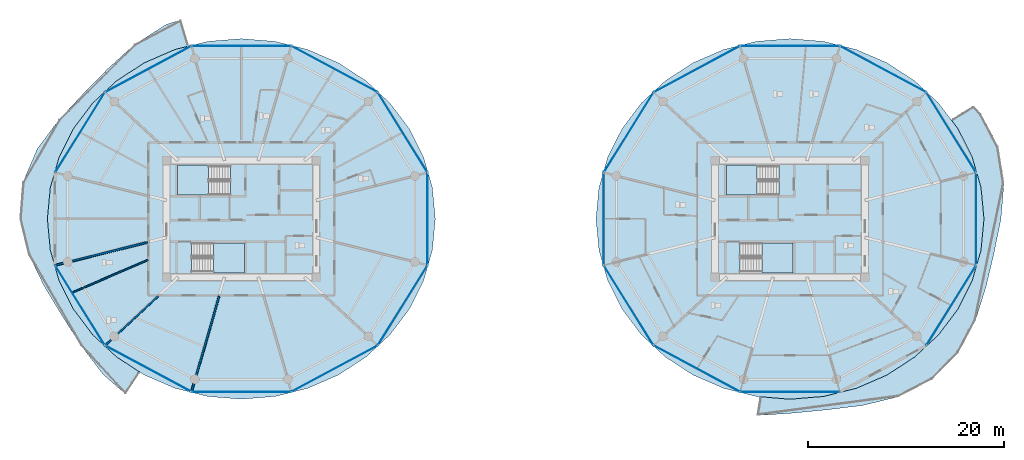
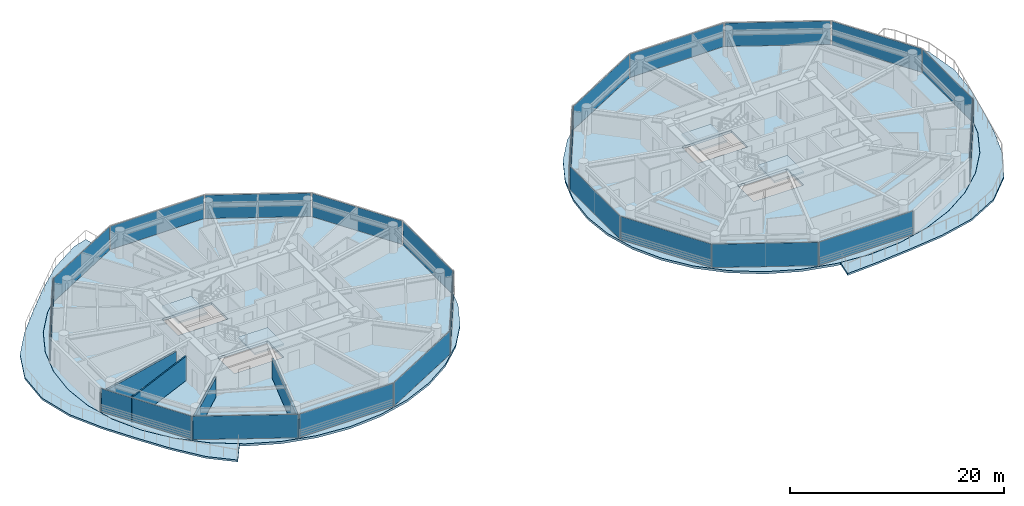
# One storey, part 14 of 27: 22 plates, 8 slabs, 4 walls, 26 elements without a shape of their own.
"""IFC4 building model written with IfcOpenShell, lengths in metres."""

from ifc_helpers import new_model, si_unit, direction, frame, frame_2d, origin, origin_2d, place, context, subcontext, project, spatial, polyline, rectangle, outline, extrude, source, transform, mapped, material, layer, layer_set, type_object, type_shapes, element, aggregate, save


model = new_model("IFC4")

# Units and contexts
model_context = context("Model", 3, precision=1e-05, world=origin(), true_north=direction((0.0, 1.0)))
body_context = subcontext(model_context, "Body", "Model", "MODEL_VIEW")
ifc_project = project(units=[si_unit("LENGTHUNIT", "METRE"), si_unit("AREAUNIT", "SQUARE_METRE"), si_unit("VOLUMEUNIT", "CUBIC_METRE"), si_unit("PLANEANGLEUNIT", "RADIAN"), si_unit("MASSUNIT", "GRAM", prefix="KILO")], contexts=[model_context])

# Site, building, storey
site_placement = place(None, origin())
site = spatial("IfcSite", under=ifc_project, at=site_placement, CompositionType="ELEMENT")
building_placement = place(site_placement, origin())
building = spatial("IfcBuilding", under=site, at=building_placement, Name="Norrkilde Senior Care Towers", CompositionType="ELEMENT")
storey_placement = place(building_placement, frame((0.0, 0.0, 36.85009765625)))
storey = spatial("IfcBuildingStorey", under=building, at=storey_placement, Name="L10", CompositionType="ELEMENT", Elevation=36.85009765625)

# Slabs
ifc_material_1 = material(Name="Concrete C50/60", Category="concrete")
ifc_layer_1 = layer(ifc_material_1, 0.215087890625)
ifc_layer_set_1 = layer_set([ifc_layer_1], Name="Concrete C50/60")
slab_type_1 = type_object("IfcSlabType", Name="Sinusoidal Balcony Ribbon Slab 215", PredefinedType="FLOOR", material=ifc_layer_set_1)
slab_1_placement = place(storey_placement, frame((0.0, 0.0, -0.215087890625)))
element("IfcSlab", 1, at=slab_1_placement, inside=storey, type_object=slab_type_1, Name="L10 Drum W Swirling Senior Balcony 1", PredefinedType="FLOOR", context=body_context, shape_type="SweptSolid", body=[
    extrude(outline(polyline([(-44.375244140625, -12.91748046875), (-46.2939453125, -9.912353515625), (-48.12060546875, -6.886474609375), (-49.71923828125, -3.616455078125), (-50.59619140625, 0.0), (-50.302490234375, 3.72705078125), (-48.831298828125, 7.164794921875), (-46.623046875, 10.116943359375), (-44.178466796875, 12.739990234375), (-41.6689453125, 15.302734375), (-38.904541015625, 17.807373046875), (-35.64306640625, 19.86572265625), (-34.156494140625, 20.30517578125), (-33.351318359375, 17.649169921875), (-34.773681640625, 17.294921875), (-37.902587890625, 15.939208984375), (-40.73046875, 14.09912109375), (-43.171630859375, 11.83056640625), (-45.151611328125, 9.202392578125), (-46.610595703125, 6.294921875), (-47.504150390625, 3.196044921875), (-47.804931640625, 0.0), (-47.504150390625, -3.196044921875), (-46.610595703125, -6.294921875), (-45.151611328125, -9.202392578125), (-43.171630859375, -11.83056640625), (-40.73046875, -14.09912109375), (-38.34228515625, -15.653076171875), (-39.815185546875, -17.882080078125), (-42.11669921875, -15.877197265625), (-44.375244140625, -12.91748046875)])), origin(), (0.0, 0.0, 1.0), 0.215087890625),
])
slab_2_placement = place(storey_placement, frame((0.0, 0.0, -0.215087890625)))
element("IfcSlab", 2, at=slab_2_placement, inside=storey, type_object=slab_type_1, Name="L10 Drum E Swirling Senior Balcony 1", PredefinedType="FLOOR", context=body_context, shape_type="SweptSolid", body=[
    extrude(outline(polyline([(46.952392578125, -10.321533203125), (45.185546875, -13.649169921875), (42.503173828125, -16.372802734375), (39.087890625, -18.14892578125), (35.367919921875, -19.05224609375), (31.6640625, -19.498779296875), (28.0, -19.853759765625), (24.640380859375, -20.06005859375), (24.958984375, -18.15771484375), (28.0, -18.405029296875), (31.439208984375, -18.12548828125), (34.773681640625, -17.294921875), (37.902587890625, -15.939208984375), (40.73046875, -14.09912109375), (43.171630859375, -11.83056640625), (45.151611328125, -9.202392578125), (46.610595703125, -6.294921875), (47.504150390625, -3.196044921875), (47.804931640625, 0.0), (47.504150390625, 3.196044921875), (46.610595703125, 6.294921875), (45.151611328125, 9.202392578125), (44.4658203125, 10.11279296875), (46.705810546875, 11.488525390625), (47.5224609375, 10.675537109375), (49.2626953125, 7.333740234375), (49.847412109375, 3.640625), (49.53759765625, 0.0), (48.837158203125, -3.448974609375), (48.03173828125, -6.8515625), (46.952392578125, -10.321533203125)])), origin(), (0.0, 0.0, 1.0), 0.215087890625),
])

# Stair, slab
ifc_material_2 = material(Name="Concrete C45/55", Category="concrete")
stair_type = type_object("IfcStairType", Name="Core Protected Dogleg Stair Typical 3050", PredefinedType="HALF_TURN_STAIR", material=ifc_material_2)
stair_1_placement = place(storey_placement, origin())
stair_1 = element("IfcStair", 3, at=stair_1_placement, inside=storey, type_object=stair_type, Name="L10 Protected Core Stair W1", PredefinedType="HALF_TURN_STAIR")
ifc_layer_2 = layer(ifc_material_2, 0.199951171875)
ifc_layer_set_2 = layer_set([ifc_layer_2], Name="Concrete C45/55")
slab_type_2 = type_object("IfcSlabType", Name="Stair Landing Slab 200", PredefinedType="LANDING", material=ifc_layer_set_2)
slab_3_placement = place(storey_placement, frame((0.0, 0.0, 1.324951171875)))
slab_3 = element("IfcSlab", 4, at=slab_3_placement, type_object=slab_type_2, Name="ST-W1 landing 1", PredefinedType="LANDING", context=body_context, shape_type="SweptSolid", body=[
    extrude(outline(polyline([(-31.340087890625, 5.52490234375), (-34.5, 5.52490234375), (-34.5, 2.449951171875), (-31.340087890625, 2.449951171875), (-31.340087890625, 5.52490234375)])), origin(), (0.0, 0.0, 1.0), 0.199951171875),
])
aggregate(stair_1, [slab_3])

stair_2_placement = place(storey_placement, origin())
stair_2 = element("IfcStair", 5, at=stair_2_placement, inside=storey, type_object=stair_type, Name="L10 Protected Core Stair W2", PredefinedType="HALF_TURN_STAIR")
slab_4_placement = place(storey_placement, frame((0.0, 0.0, 1.324951171875)))
slab_4 = element("IfcSlab", 6, at=slab_4_placement, type_object=slab_type_2, Name="ST-W2 landing 1", PredefinedType="LANDING", context=body_context, shape_type="SweptSolid", body=[
    extrude(outline(polyline([(-30.860107421875, -5.52490234375), (-27.699951171875, -5.52490234375), (-27.699951171875, -2.449951171875), (-30.860107421875, -2.449951171875), (-30.860107421875, -5.52490234375)])), origin(), (0.0, 0.0, 1.0), 0.199951171875),
])
aggregate(stair_2, [slab_4])

stair_3_placement = place(storey_placement, origin())
stair_3 = element("IfcStair", 7, at=stair_3_placement, inside=storey, type_object=stair_type, Name="L10 Protected Core Stair E1", PredefinedType="HALF_TURN_STAIR")
slab_5_placement = place(storey_placement, frame((0.0, 0.0, 1.324951171875)))
slab_5 = element("IfcSlab", 8, at=slab_5_placement, type_object=slab_type_2, Name="ST-E1 landing 1", PredefinedType="LANDING", context=body_context, shape_type="SweptSolid", body=[
    extrude(outline(polyline([(24.659912109375, 5.52490234375), (21.5, 5.52490234375), (21.5, 2.449951171875), (24.659912109375, 2.449951171875), (24.659912109375, 5.52490234375)])), origin(), (0.0, 0.0, 1.0), 0.199951171875),
])
aggregate(stair_3, [slab_5])

stair_4_placement = place(storey_placement, origin())
stair_4 = element("IfcStair", 9, at=stair_4_placement, inside=storey, type_object=stair_type, Name="L10 Protected Core Stair E2", PredefinedType="HALF_TURN_STAIR")
slab_6_placement = place(storey_placement, frame((0.0, 0.0, 1.324951171875)))
slab_6 = element("IfcSlab", 10, at=slab_6_placement, type_object=slab_type_2, Name="ST-E2 landing 1", PredefinedType="LANDING", context=body_context, shape_type="SweptSolid", body=[
    extrude(outline(polyline([(25.139892578125, -5.52490234375), (28.300048828125, -5.52490234375), (28.300048828125, -2.449951171875), (25.139892578125, -2.449951171875), (25.139892578125, -5.52490234375)])), origin(), (0.0, 0.0, 1.0), 0.199951171875),
])
aggregate(stair_4, [slab_6])

# Slabs
ifc_layer_3 = layer(ifc_material_1, 0.260009765625)
ifc_layer_set_3 = layer_set([ifc_layer_3], Name="Concrete C50/60")
slab_type_3 = type_object("IfcSlabType", Name="Tower Care Floor Slab 260", PredefinedType="FLOOR", material=ifc_layer_set_3)
slab_7_placement = place(storey_placement, frame((0.0, 0.0, -0.260009765625)))
element("IfcSlab", 11, at=slab_7_placement, inside=storey, type_object=slab_type_3, Name="L10 Drum W Structural Floor Slab", PredefinedType="FLOOR", context=body_context, shape_type="SweptSolid", body=[
    extrude(outline(polyline([(-9.39404296875, -6.293212890625), (-10.852783203125, -9.199951171875), (-12.832275390625, -11.827392578125), (-15.272705078125, -14.09521484375), (-18.10009765625, -15.934814453125), (-21.22802734375, -17.290283203125), (-24.561767578125, -18.120361328125), (-28.0, -18.39990234375), (-31.438232421875, -18.120361328125), (-34.77197265625, -17.290283203125), (-37.89990234375, -15.934814453125), (-40.727294921875, -14.09521484375), (-43.167724609375, -11.827392578125), (-45.147216796875, -9.199951171875), (-46.60595703125, -6.293212890625), (-47.499267578125, -3.195068359375), (-47.800048828125, 0.0), (-47.499267578125, 3.195068359375), (-46.60595703125, 6.293212890625), (-45.147216796875, 9.199951171875), (-43.167724609375, 11.827392578125), (-40.727294921875, 14.09521484375), (-37.89990234375, 15.934814453125), (-34.77197265625, 17.290283203125), (-31.438232421875, 18.120361328125), (-28.0, 18.39990234375), (-24.561767578125, 18.120361328125), (-21.22802734375, 17.290283203125), (-18.10009765625, 15.934814453125), (-15.272705078125, 14.09521484375), (-12.832275390625, 11.827392578125), (-10.852783203125, 9.199951171875), (-9.39404296875, 6.293212890625), (-8.500732421875, 3.195068359375), (-8.199951171875, 0.0), (-8.500732421875, -3.195068359375), (-9.39404296875, -6.293212890625)]), holes=[polyline([(-34.48193359375, 2.468017578125), (-29.117919921875, 2.468017578125), (-29.117919921875, 5.52490234375), (-34.48193359375, 5.52490234375), (-34.48193359375, 2.468017578125)]), polyline([(-27.718017578125, -5.52490234375), (-27.718017578125, -2.468017578125), (-33.08203125, -2.468017578125), (-33.08203125, -5.52490234375), (-27.718017578125, -5.52490234375)])]), origin(), (0.0, 0.0, 1.0), 0.260009765625),
])
slab_8_placement = place(storey_placement, frame((0.0, 0.0, -0.260009765625)))
element("IfcSlab", 12, at=slab_8_placement, inside=storey, type_object=slab_type_3, Name="L10 Drum E Structural Floor Slab", PredefinedType="FLOOR", context=body_context, shape_type="SweptSolid", body=[
    extrude(outline(polyline([(46.60595703125, -6.293212890625), (45.147216796875, -9.199951171875), (43.167724609375, -11.827392578125), (40.727294921875, -14.09521484375), (37.89990234375, -15.934814453125), (34.77197265625, -17.290283203125), (31.438232421875, -18.120361328125), (28.0, -18.39990234375), (24.561767578125, -18.120361328125), (21.22802734375, -17.290283203125), (18.10009765625, -15.934814453125), (15.272705078125, -14.09521484375), (12.832275390625, -11.827392578125), (10.852783203125, -9.199951171875), (9.39404296875, -6.293212890625), (8.500732421875, -3.195068359375), (8.199951171875, 0.0), (8.500732421875, 3.195068359375), (9.39404296875, 6.293212890625), (10.852783203125, 9.199951171875), (12.832275390625, 11.827392578125), (15.272705078125, 14.09521484375), (18.10009765625, 15.934814453125), (21.22802734375, 17.290283203125), (24.561767578125, 18.120361328125), (28.0, 18.39990234375), (31.438232421875, 18.120361328125), (34.77197265625, 17.290283203125), (37.89990234375, 15.934814453125), (40.727294921875, 14.09521484375), (43.167724609375, 11.827392578125), (45.147216796875, 9.199951171875), (46.60595703125, 6.293212890625), (47.499267578125, 3.195068359375), (47.800048828125, 0.0), (47.499267578125, -3.195068359375), (46.60595703125, -6.293212890625)]), holes=[polyline([(21.51806640625, 2.468017578125), (26.882080078125, 2.468017578125), (26.882080078125, 5.52490234375), (21.51806640625, 5.52490234375), (21.51806640625, 2.468017578125)]), polyline([(28.281982421875, -5.52490234375), (28.281982421875, -2.468017578125), (22.91796875, -2.468017578125), (22.91796875, -5.52490234375), (28.281982421875, -5.52490234375)])]), origin(), (0.0, 0.0, 1.0), 0.260009765625),
])

# Curtain wall, plate
ifc_material_3 = material(Name="Triple Low-E Insulated Glazing", Category="glass")
ifc_layer_4 = layer(ifc_material_3, 0.199951171875)
ifc_layer_set_4 = layer_set([ifc_layer_4], Name="Triple Low-E Insulated Glazing")
curtain_wall_type = type_object("IfcCurtainWallType", Name="CW2 Zone 1 Memory Care Curtain Wall", PredefinedType="NOTDEFINED", material=ifc_layer_set_4)
curtain_wall_1_placement = place(storey_placement, origin())
curtain_wall_1 = element("IfcCurtainWall", 13, at=curtain_wall_1_placement, inside=storey, type_object=curtain_wall_type, Name="L10 Drum W Curtain Wall 00", PredefinedType="NOTDEFINED")
ifc_layer_5 = layer(ifc_material_3, 0.035888671875)
ifc_layer_set_5 = layer_set([ifc_layer_5], Name="Triple Low-E Insulated Glazing")
plate_type = type_object("IfcPlateType", Name="Triple Low-E Vision Curtain Panel 36", PredefinedType="CURTAIN_PANEL", material=ifc_layer_set_5)
shared_shape_1 = source(origin(), body_context, "Body", "SweptSolid", [
    extrude(rectangle(XDim=9.518798828125, YDim=0.035888671875, at=origin_2d()), origin(), (0.0, 0.0, 1.0), 2.669921875),
])
plate_1_placement = place(storey_placement, frame((-11.537353515625, 8.82861328125, 0.06005859375), z_axis=(0.0, 0.0, 1.0), x_axis=(0.527900951871, -0.849305943117, 0.0)))
plate_1 = element("IfcPlate", 14, at=plate_1_placement, type_object=plate_type, Name="CW-2 panel 1.1", PredefinedType="CURTAIN_PANEL", context=body_context, shape_type="MappedRepresentation", body=[
    mapped(shared_shape_1, transform((0.0, 0.0, 0.0), x_axis=(1.0, 0.0, 0.0), y_axis=(0.0, 1.0, 0.0), z_axis=(0.0, 0.0, 1.0), scale=1.0)),
])
aggregate(curtain_wall_1, [plate_1])

curtain_wall_2_placement = place(storey_placement, origin())
curtain_wall_2 = element("IfcCurtainWall", 15, at=curtain_wall_2_placement, inside=storey, type_object=curtain_wall_type, Name="L10 Drum W Curtain Wall 04", PredefinedType="NOTDEFINED")
plate_2_placement = place(storey_placement, frame((-44.462646484375, 8.82861328125, 0.06005859375), z_axis=(0.0, 0.0, 1.0), x_axis=(0.527900951871, 0.849305943117, 0.0)))
plate_2 = element("IfcPlate", 16, at=plate_2_placement, type_object=plate_type, Name="CW-2 panel 1.1", PredefinedType="CURTAIN_PANEL", context=body_context, shape_type="MappedRepresentation", body=[
    mapped(shared_shape_1, transform((0.0, 0.0, 0.0), x_axis=(1.0, 0.0, 0.0), y_axis=(0.0, 1.0, 0.0), z_axis=(0.0, 0.0, 1.0), scale=1.0)),
])
aggregate(curtain_wall_2, [plate_2])

curtain_wall_3_placement = place(storey_placement, origin())
curtain_wall_3 = element("IfcCurtainWall", 17, at=curtain_wall_3_placement, inside=storey, type_object=curtain_wall_type, Name="L10 Drum W Curtain Wall 06", PredefinedType="NOTDEFINED")
plate_3_placement = place(storey_placement, frame((-44.462646484375, -8.82861328125, 0.06005859375), z_axis=(0.0, 0.0, 1.0), x_axis=(-0.527900951871, 0.849305943117, 0.0)))
plate_3 = element("IfcPlate", 18, at=plate_3_placement, type_object=plate_type, Name="CW-2 panel 1.1", PredefinedType="CURTAIN_PANEL", context=body_context, shape_type="MappedRepresentation", body=[
    mapped(shared_shape_1, transform((0.0, 0.0, 0.0), x_axis=(1.0, 0.0, 0.0), y_axis=(0.0, 1.0, 0.0), z_axis=(0.0, 0.0, 1.0), scale=1.0)),
])
aggregate(curtain_wall_3, [plate_3])

curtain_wall_4_placement = place(storey_placement, origin())
curtain_wall_4 = element("IfcCurtainWall", 19, at=curtain_wall_4_placement, inside=storey, type_object=curtain_wall_type, Name="L10 Drum W Curtain Wall 10", PredefinedType="NOTDEFINED")
plate_4_placement = place(storey_placement, frame((-11.537353515625, -8.82861328125, 0.06005859375), z_axis=(0.0, 0.0, 1.0), x_axis=(-0.527900951871, -0.849305943117, 0.0)))
plate_4 = element("IfcPlate", 20, at=plate_4_placement, type_object=plate_type, Name="CW-2 panel 1.1", PredefinedType="CURTAIN_PANEL", context=body_context, shape_type="MappedRepresentation", body=[
    mapped(shared_shape_1, transform((0.0, 0.0, 0.0), x_axis=(1.0, 0.0, 0.0), y_axis=(0.0, 1.0, 0.0), z_axis=(0.0, 0.0, 1.0), scale=1.0)),
])
aggregate(curtain_wall_4, [plate_4])

curtain_wall_5_placement = place(storey_placement, origin())
curtain_wall_5 = element("IfcCurtainWall", 21, at=curtain_wall_5_placement, inside=storey, type_object=curtain_wall_type, Name="L10 Drum E Curtain Wall 00", PredefinedType="NOTDEFINED")
plate_5_placement = place(storey_placement, frame((44.462646484375, 8.82861328125, 0.06005859375), z_axis=(0.0, 0.0, 1.0), x_axis=(0.527900951871, -0.849305943117, 0.0)))
plate_5 = element("IfcPlate", 22, at=plate_5_placement, type_object=plate_type, Name="CW-2 panel 1.1", PredefinedType="CURTAIN_PANEL", context=body_context, shape_type="MappedRepresentation", body=[
    mapped(shared_shape_1, transform((0.0, 0.0, 0.0), x_axis=(1.0, 0.0, 0.0), y_axis=(0.0, 1.0, 0.0), z_axis=(0.0, 0.0, 1.0), scale=1.0)),
])
aggregate(curtain_wall_5, [plate_5])

curtain_wall_6_placement = place(storey_placement, origin())
curtain_wall_6 = element("IfcCurtainWall", 23, at=curtain_wall_6_placement, inside=storey, type_object=curtain_wall_type, Name="L10 Drum E Curtain Wall 04", PredefinedType="NOTDEFINED")
plate_6_placement = place(storey_placement, frame((11.537353515625, 8.82861328125, 0.06005859375), z_axis=(0.0, 0.0, 1.0), x_axis=(0.527900951871, 0.849305943117, 0.0)))
plate_6 = element("IfcPlate", 24, at=plate_6_placement, type_object=plate_type, Name="CW-2 panel 1.1", PredefinedType="CURTAIN_PANEL", context=body_context, shape_type="MappedRepresentation", body=[
    mapped(shared_shape_1, transform((0.0, 0.0, 0.0), x_axis=(1.0, 0.0, 0.0), y_axis=(0.0, 1.0, 0.0), z_axis=(0.0, 0.0, 1.0), scale=1.0)),
])
aggregate(curtain_wall_6, [plate_6])

curtain_wall_7_placement = place(storey_placement, origin())
curtain_wall_7 = element("IfcCurtainWall", 25, at=curtain_wall_7_placement, inside=storey, type_object=curtain_wall_type, Name="L10 Drum E Curtain Wall 06", PredefinedType="NOTDEFINED")
plate_7_placement = place(storey_placement, frame((11.537353515625, -8.82861328125, 0.06005859375), z_axis=(0.0, 0.0, 1.0), x_axis=(-0.527900951871, 0.849305943117, 0.0)))
plate_7 = element("IfcPlate", 26, at=plate_7_placement, type_object=plate_type, Name="CW-2 panel 1.1", PredefinedType="CURTAIN_PANEL", context=body_context, shape_type="MappedRepresentation", body=[
    mapped(shared_shape_1, transform((0.0, 0.0, 0.0), x_axis=(1.0, 0.0, 0.0), y_axis=(0.0, 1.0, 0.0), z_axis=(0.0, 0.0, 1.0), scale=1.0)),
])
aggregate(curtain_wall_7, [plate_7])

curtain_wall_8_placement = place(storey_placement, origin())
curtain_wall_8 = element("IfcCurtainWall", 27, at=curtain_wall_8_placement, inside=storey, type_object=curtain_wall_type, Name="L10 Drum E Curtain Wall 10", PredefinedType="NOTDEFINED")
plate_8_placement = place(storey_placement, frame((44.462646484375, -8.82861328125, 0.06005859375), z_axis=(0.0, 0.0, 1.0), x_axis=(-0.527900951871, -0.849305943117, 0.0)))
plate_8 = element("IfcPlate", 28, at=plate_8_placement, type_object=plate_type, Name="CW-2 panel 1.1", PredefinedType="CURTAIN_PANEL", context=body_context, shape_type="MappedRepresentation", body=[
    mapped(shared_shape_1, transform((0.0, 0.0, 0.0), x_axis=(1.0, 0.0, 0.0), y_axis=(0.0, 1.0, 0.0), z_axis=(0.0, 0.0, 1.0), scale=1.0)),
])
aggregate(curtain_wall_8, [plate_8])

curtain_wall_9_placement = place(storey_placement, origin())
curtain_wall_9 = element("IfcCurtainWall", 29, at=curtain_wall_9_placement, inside=storey, type_object=curtain_wall_type, Name="L10 Drum W Curtain Wall 01", PredefinedType="NOTDEFINED")
shared_shape_2 = source(origin(), body_context, "Body", "SweptSolid", [
    extrude(rectangle(XDim=9.880859375, YDim=0.035888671875, at=origin_2d()), origin(), (0.0, 0.0, 1.0), 2.669921875),
])
plate_9_placement = place(storey_placement, frame((-18.495361328125, 15.29150390625, 0.06005859375), z_axis=(0.0, 0.0, 1.0), x_axis=(0.881272866403, -0.472607802456, 0.0)))
plate_9 = element("IfcPlate", 30, at=plate_9_placement, type_object=plate_type, Name="CW-2 panel 1.1", PredefinedType="CURTAIN_PANEL", context=body_context, shape_type="MappedRepresentation", body=[
    mapped(shared_shape_2, transform((0.0, 0.0, 0.0), x_axis=(1.0, 0.0, 0.0), y_axis=(0.0, 1.0, 0.0), z_axis=(0.0, 0.0, 1.0), scale=1.0)),
])
aggregate(curtain_wall_9, [plate_9])

curtain_wall_10_placement = place(storey_placement, origin())
curtain_wall_10 = element("IfcCurtainWall", 31, at=curtain_wall_10_placement, inside=storey, type_object=curtain_wall_type, Name="L10 Drum W Curtain Wall 03", PredefinedType="NOTDEFINED")
plate_10_placement = place(storey_placement, frame((-37.504638671875, 15.29150390625, 0.06005859375), z_axis=(0.0, 0.0, 1.0), x_axis=(0.881272866403, 0.472607802456, 0.0)))
plate_10 = element("IfcPlate", 32, at=plate_10_placement, type_object=plate_type, Name="CW-2 panel 1.1", PredefinedType="CURTAIN_PANEL", context=body_context, shape_type="MappedRepresentation", body=[
    mapped(shared_shape_2, transform((0.0, 0.0, 0.0), x_axis=(1.0, 0.0, 0.0), y_axis=(0.0, 1.0, 0.0), z_axis=(0.0, 0.0, 1.0), scale=1.0)),
])
aggregate(curtain_wall_10, [plate_10])

curtain_wall_11_placement = place(storey_placement, origin())
curtain_wall_11 = element("IfcCurtainWall", 33, at=curtain_wall_11_placement, inside=storey, type_object=curtain_wall_type, Name="L10 Drum W Curtain Wall 07", PredefinedType="NOTDEFINED")
plate_11_placement = place(storey_placement, frame((-37.504638671875, -15.29150390625, 0.06005859375), z_axis=(0.0, 0.0, 1.0), x_axis=(-0.881272866403, 0.472607802456, 0.0)))
plate_11 = element("IfcPlate", 34, at=plate_11_placement, type_object=plate_type, Name="CW-2 panel 1.1", PredefinedType="CURTAIN_PANEL", context=body_context, shape_type="MappedRepresentation", body=[
    mapped(shared_shape_2, transform((0.0, 0.0, 0.0), x_axis=(1.0, 0.0, 0.0), y_axis=(0.0, 1.0, 0.0), z_axis=(0.0, 0.0, 1.0), scale=1.0)),
])
aggregate(curtain_wall_11, [plate_11])

curtain_wall_12_placement = place(storey_placement, origin())
curtain_wall_12 = element("IfcCurtainWall", 35, at=curtain_wall_12_placement, inside=storey, type_object=curtain_wall_type, Name="L10 Drum W Curtain Wall 09", PredefinedType="NOTDEFINED")
plate_12_placement = place(storey_placement, frame((-18.495361328125, -15.29150390625, 0.06005859375), z_axis=(0.0, 0.0, 1.0), x_axis=(-0.881272866403, -0.472607802456, 0.0)))
plate_12 = element("IfcPlate", 36, at=plate_12_placement, type_object=plate_type, Name="CW-2 panel 1.1", PredefinedType="CURTAIN_PANEL", context=body_context, shape_type="MappedRepresentation", body=[
    mapped(shared_shape_2, transform((0.0, 0.0, 0.0), x_axis=(1.0, 0.0, 0.0), y_axis=(0.0, 1.0, 0.0), z_axis=(0.0, 0.0, 1.0), scale=1.0)),
])
aggregate(curtain_wall_12, [plate_12])

curtain_wall_13_placement = place(storey_placement, origin())
curtain_wall_13 = element("IfcCurtainWall", 37, at=curtain_wall_13_placement, inside=storey, type_object=curtain_wall_type, Name="L10 Drum E Curtain Wall 01", PredefinedType="NOTDEFINED")
plate_13_placement = place(storey_placement, frame((37.504638671875, 15.29150390625, 0.06005859375), z_axis=(0.0, 0.0, 1.0), x_axis=(0.881272866403, -0.472607802456, 0.0)))
plate_13 = element("IfcPlate", 38, at=plate_13_placement, type_object=plate_type, Name="CW-2 panel 1.1", PredefinedType="CURTAIN_PANEL", context=body_context, shape_type="MappedRepresentation", body=[
    mapped(shared_shape_2, transform((0.0, 0.0, 0.0), x_axis=(1.0, 0.0, 0.0), y_axis=(0.0, 1.0, 0.0), z_axis=(0.0, 0.0, 1.0), scale=1.0)),
])
aggregate(curtain_wall_13, [plate_13])

curtain_wall_14_placement = place(storey_placement, origin())
curtain_wall_14 = element("IfcCurtainWall", 39, at=curtain_wall_14_placement, inside=storey, type_object=curtain_wall_type, Name="L10 Drum E Curtain Wall 03", PredefinedType="NOTDEFINED")
plate_14_placement = place(storey_placement, frame((18.495361328125, 15.29150390625, 0.06005859375), z_axis=(0.0, 0.0, 1.0), x_axis=(0.881272866403, 0.472607802456, 0.0)))
plate_14 = element("IfcPlate", 40, at=plate_14_placement, type_object=plate_type, Name="CW-2 panel 1.1", PredefinedType="CURTAIN_PANEL", context=body_context, shape_type="MappedRepresentation", body=[
    mapped(shared_shape_2, transform((0.0, 0.0, 0.0), x_axis=(1.0, 0.0, 0.0), y_axis=(0.0, 1.0, 0.0), z_axis=(0.0, 0.0, 1.0), scale=1.0)),
])
aggregate(curtain_wall_14, [plate_14])

curtain_wall_15_placement = place(storey_placement, origin())
curtain_wall_15 = element("IfcCurtainWall", 41, at=curtain_wall_15_placement, inside=storey, type_object=curtain_wall_type, Name="L10 Drum E Curtain Wall 07", PredefinedType="NOTDEFINED")
plate_15_placement = place(storey_placement, frame((18.495361328125, -15.29150390625, 0.06005859375), z_axis=(0.0, 0.0, 1.0), x_axis=(-0.881272866403, 0.472607802456, 0.0)))
plate_15 = element("IfcPlate", 42, at=plate_15_placement, type_object=plate_type, Name="CW-2 panel 1.1", PredefinedType="CURTAIN_PANEL", context=body_context, shape_type="MappedRepresentation", body=[
    mapped(shared_shape_2, transform((0.0, 0.0, 0.0), x_axis=(1.0, 0.0, 0.0), y_axis=(0.0, 1.0, 0.0), z_axis=(0.0, 0.0, 1.0), scale=1.0)),
])
aggregate(curtain_wall_15, [plate_15])

curtain_wall_16_placement = place(storey_placement, origin())
curtain_wall_16 = element("IfcCurtainWall", 43, at=curtain_wall_16_placement, inside=storey, type_object=curtain_wall_type, Name="L10 Drum W Curtain Wall 11", PredefinedType="NOTDEFINED")
shared_shape_3 = source(origin(), body_context, "Body", "SweptSolid", [
    extrude(rectangle(XDim=9.33251953125, YDim=0.035888671875, at=origin_2d()), origin(), (0.0, 0.0, 1.0), 2.669921875),
])
plate_16_placement = place(storey_placement, frame((-8.990478515625, 0.0, 0.06005859375), z_axis=(0.0, 0.0, 1.0), x_axis=(0.0, -1.0, 0.0)))
plate_16 = element("IfcPlate", 44, at=plate_16_placement, type_object=plate_type, Name="CW-2 panel 1.1", PredefinedType="CURTAIN_PANEL", context=body_context, shape_type="MappedRepresentation", body=[
    mapped(shared_shape_3, transform((0.0, 0.0, 0.0), x_axis=(1.0, 0.0, 0.0), y_axis=(0.0, 1.0, 0.0), z_axis=(0.0, 0.0, 1.0), scale=1.0)),
])
aggregate(curtain_wall_16, [plate_16])

curtain_wall_17_placement = place(storey_placement, origin())
curtain_wall_17 = element("IfcCurtainWall", 45, at=curtain_wall_17_placement, inside=storey, type_object=curtain_wall_type, Name="L10 Drum E Curtain Wall 05", PredefinedType="NOTDEFINED")
plate_17_placement = place(storey_placement, frame((8.990478515625, 0.0, 0.06005859375), z_axis=(0.0, 0.0, 1.0), x_axis=(0.0, 1.0, 0.0)))
plate_17 = element("IfcPlate", 46, at=plate_17_placement, type_object=plate_type, Name="CW-2 panel 1.1", PredefinedType="CURTAIN_PANEL", context=body_context, shape_type="MappedRepresentation", body=[
    mapped(shared_shape_3, transform((0.0, 0.0, 0.0), x_axis=(1.0, 0.0, 0.0), y_axis=(0.0, 1.0, 0.0), z_axis=(0.0, 0.0, 1.0), scale=1.0)),
])
aggregate(curtain_wall_17, [plate_17])

curtain_wall_18_placement = place(storey_placement, origin())
curtain_wall_18 = element("IfcCurtainWall", 47, at=curtain_wall_18_placement, inside=storey, type_object=curtain_wall_type, Name="L10 Drum E Curtain Wall 11", PredefinedType="NOTDEFINED")
plate_18_placement = place(storey_placement, frame((47.009521484375, 0.0, 0.06005859375), z_axis=(0.0, 0.0, 1.0), x_axis=(0.0, -1.0, 0.0)))
plate_18 = element("IfcPlate", 48, at=plate_18_placement, type_object=plate_type, Name="CW-2 panel 1.1", PredefinedType="CURTAIN_PANEL", context=body_context, shape_type="MappedRepresentation", body=[
    mapped(shared_shape_3, transform((0.0, 0.0, 0.0), x_axis=(1.0, 0.0, 0.0), y_axis=(0.0, 1.0, 0.0), z_axis=(0.0, 0.0, 1.0), scale=1.0)),
])
aggregate(curtain_wall_18, [plate_18])

curtain_wall_19_placement = place(storey_placement, origin())
curtain_wall_19 = element("IfcCurtainWall", 49, at=curtain_wall_19_placement, inside=storey, type_object=curtain_wall_type, Name="L10 Drum W Curtain Wall 02", PredefinedType="NOTDEFINED")
shared_shape_4 = source(origin(), body_context, "Body", "SweptSolid", [
    extrude(rectangle(XDim=10.05712890625, YDim=0.035888671875, at=origin_2d()), origin(), (0.0, 0.0, 1.0), 2.669921875),
])
type_shapes(plate_type, [shared_shape_1, shared_shape_2, shared_shape_3, shared_shape_4])
plate_19_placement = place(storey_placement, frame((-28.0, 17.6572265625, 0.06005859375), z_axis=(0.0, 0.0, 1.0), x_axis=(1.0, 0.0, 0.0)))
plate_19 = element("IfcPlate", 50, at=plate_19_placement, type_object=plate_type, Name="CW-2 panel 1.1", PredefinedType="CURTAIN_PANEL", context=body_context, shape_type="MappedRepresentation", body=[
    mapped(shared_shape_4, transform((0.0, 0.0, 0.0), x_axis=(1.0, 0.0, 0.0), y_axis=(0.0, 1.0, 0.0), z_axis=(0.0, 0.0, 1.0), scale=1.0)),
])
aggregate(curtain_wall_19, [plate_19])

curtain_wall_20_placement = place(storey_placement, origin())
curtain_wall_20 = element("IfcCurtainWall", 51, at=curtain_wall_20_placement, inside=storey, type_object=curtain_wall_type, Name="L10 Drum W Curtain Wall 08", PredefinedType="NOTDEFINED")
plate_20_placement = place(storey_placement, frame((-28.0, -17.6572265625, 0.06005859375), z_axis=(0.0, 0.0, 1.0), x_axis=(-1.0, 0.0, 0.0)))
plate_20 = element("IfcPlate", 52, at=plate_20_placement, type_object=plate_type, Name="CW-2 panel 1.1", PredefinedType="CURTAIN_PANEL", context=body_context, shape_type="MappedRepresentation", body=[
    mapped(shared_shape_4, transform((0.0, 0.0, 0.0), x_axis=(1.0, 0.0, 0.0), y_axis=(0.0, 1.0, 0.0), z_axis=(0.0, 0.0, 1.0), scale=1.0)),
])
aggregate(curtain_wall_20, [plate_20])

curtain_wall_21_placement = place(storey_placement, origin())
curtain_wall_21 = element("IfcCurtainWall", 53, at=curtain_wall_21_placement, inside=storey, type_object=curtain_wall_type, Name="L10 Drum E Curtain Wall 02", PredefinedType="NOTDEFINED")
plate_21_placement = place(storey_placement, frame((28.0, 17.6572265625, 0.06005859375), z_axis=(0.0, 0.0, 1.0), x_axis=(1.0, 0.0, 0.0)))
plate_21 = element("IfcPlate", 54, at=plate_21_placement, type_object=plate_type, Name="CW-2 panel 1.1", PredefinedType="CURTAIN_PANEL", context=body_context, shape_type="MappedRepresentation", body=[
    mapped(shared_shape_4, transform((0.0, 0.0, 0.0), x_axis=(1.0, 0.0, 0.0), y_axis=(0.0, 1.0, 0.0), z_axis=(0.0, 0.0, 1.0), scale=1.0)),
])
aggregate(curtain_wall_21, [plate_21])

curtain_wall_22_placement = place(storey_placement, origin())
curtain_wall_22 = element("IfcCurtainWall", 55, at=curtain_wall_22_placement, inside=storey, type_object=curtain_wall_type, Name="L10 Drum E Curtain Wall 08", PredefinedType="NOTDEFINED")
plate_22_placement = place(storey_placement, frame((28.0, -17.6572265625, 0.06005859375), z_axis=(0.0, 0.0, 1.0), x_axis=(-1.0, 0.0, 0.0)))
plate_22 = element("IfcPlate", 56, at=plate_22_placement, type_object=plate_type, Name="CW-2 panel 1.1", PredefinedType="CURTAIN_PANEL", context=body_context, shape_type="MappedRepresentation", body=[
    mapped(shared_shape_4, transform((0.0, 0.0, 0.0), x_axis=(1.0, 0.0, 0.0), y_axis=(0.0, 1.0, 0.0), z_axis=(0.0, 0.0, 1.0), scale=1.0)),
])
aggregate(curtain_wall_22, [plate_22])

# Walls
ifc_material_4 = material(Name="Gypsum Acoustic Board")
ifc_layer_6 = layer(ifc_material_4, 0.18994140625)
ifc_layer_set_6 = layer_set([ifc_layer_6], Name="Gypsum Acoustic Board")
wall_type_1 = type_object("IfcWallType", Name="Unit Demising Acoustic Wall 190", PredefinedType="PARTITIONING", material=ifc_layer_set_6)
shared_shape_5 = source(origin(), body_context, "Body", "SweptSolid", [
    extrude(rectangle(XDim=7.4345703125, YDim=0.18994140625, at=frame_2d((3.71728515625, 0.0))), origin(), (0.0, 0.0, 1.0), 2.224853515625),
])
wall_1_placement = place(storey_placement, frame((-36.48291015625, -7.8798828125, 0.0), z_axis=(0.0, 0.0, 1.0), x_axis=(-0.732651956848, -0.680603489652, 0.0)))
element("IfcWall", 57, at=wall_1_placement, inside=storey, type_object=wall_type_1, Name="WL-INT-L10-W-DEM-07-0", PredefinedType="PARTITIONING", context=body_context, shape_type="MappedRepresentation", body=[
    mapped(shared_shape_5, transform((0.0, 0.0, 0.0), x_axis=(1.0, 0.0, 0.0), y_axis=(0.0, 1.0, 0.0), z_axis=(0.0, 0.0, 1.0), scale=1.0)),
])
shared_shape_6 = source(origin(), body_context, "Body", "SweptSolid", [
    extrude(rectangle(XDim=10.196044921875, YDim=0.18994140625, at=frame_2d((5.09814453125, 0.0))), origin(), (0.0, 0.0, 1.0), 2.224853515625),
])
wall_2_placement = place(storey_placement, frame((-30.27294921875, -7.8798828125, 0.0), z_axis=(0.0, 0.0, 1.0), x_axis=(-0.277136420347, -0.960830580549, 0.0)))
element("IfcWall", 58, at=wall_2_placement, inside=storey, type_object=wall_type_1, Name="WL-INT-L10-W-DEM-08-0", PredefinedType="PARTITIONING", context=body_context, shape_type="MappedRepresentation", body=[
    mapped(shared_shape_6, transform((0.0, 0.0, 0.0), x_axis=(1.0, 0.0, 0.0), y_axis=(0.0, 1.0, 0.0), z_axis=(0.0, 0.0, 1.0), scale=1.0)),
])
shared_shape_7 = source(origin(), body_context, "Body", "SweptSolid", [
    extrude(rectangle(XDim=9.737060546875, YDim=0.18994140625, at=frame_2d((4.86865234375, 0.0))), origin(), (0.0, 0.0, 1.0), 2.224853515625),
])
type_shapes(wall_type_1, [shared_shape_5, shared_shape_6, shared_shape_7])
wall_3_placement = place(storey_placement, frame((-37.580078125, -2.384521484375, 0.0), z_axis=(0.0, 0.0, 1.0), x_axis=(-0.970392716238, -0.241532557375, 0.0)))
element("IfcWall", 59, at=wall_3_placement, inside=storey, type_object=wall_type_1, Name="WL-INT-L10-W-DEM-06-0", PredefinedType="PARTITIONING", context=body_context, shape_type="MappedRepresentation", body=[
    mapped(shared_shape_7, transform((0.0, 0.0, 0.0), x_axis=(1.0, 0.0, 0.0), y_axis=(0.0, 1.0, 0.0), z_axis=(0.0, 0.0, 1.0), scale=1.0)),
])
ifc_layer_7 = layer(ifc_material_4, 0.139892578125)
ifc_layer_set_7 = layer_set([ifc_layer_7], Name="Gypsum Acoustic Board")
wall_type_2 = type_object("IfcWallType", Name="En-suite Wet Room Wall 140", PredefinedType="PARTITIONING", material=ifc_layer_set_7)
shared_shape_8 = source(origin(), body_context, "Body", "SweptSolid", [
    extrude(rectangle(XDim=8.4521484375, YDim=0.139892578125, at=frame_2d((4.22607421875, 0.0))), origin(), (0.0, 0.0, 1.0), 2.77490234375),
])
type_shapes(wall_type_2, [shared_shape_8])
wall_4_placement = place(storey_placement, frame((-37.530029296875, -4.1875, 0.0), z_axis=(0.0, 0.0, 1.0), x_axis=(-0.918706709896, -0.394940478036, 0.0)))
element("IfcWall", 60, at=wall_4_placement, inside=storey, type_object=wall_type_2, Name="WL-INT-L10-W-MID-06", PredefinedType="PARTITIONING", context=body_context, shape_type="MappedRepresentation", body=[
    mapped(shared_shape_8, transform((0.0, 0.0, 0.0), x_axis=(1.0, 0.0, 0.0), y_axis=(0.0, 1.0, 0.0), z_axis=(0.0, 0.0, 1.0), scale=1.0)),
])

save(model, "model.ifc")
